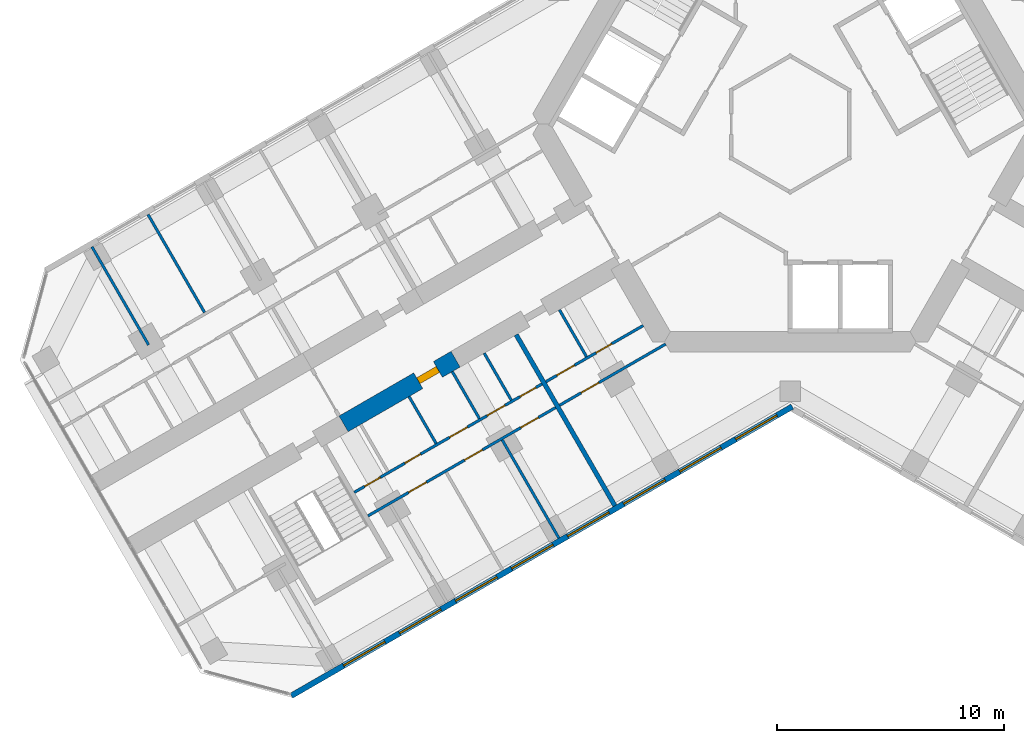
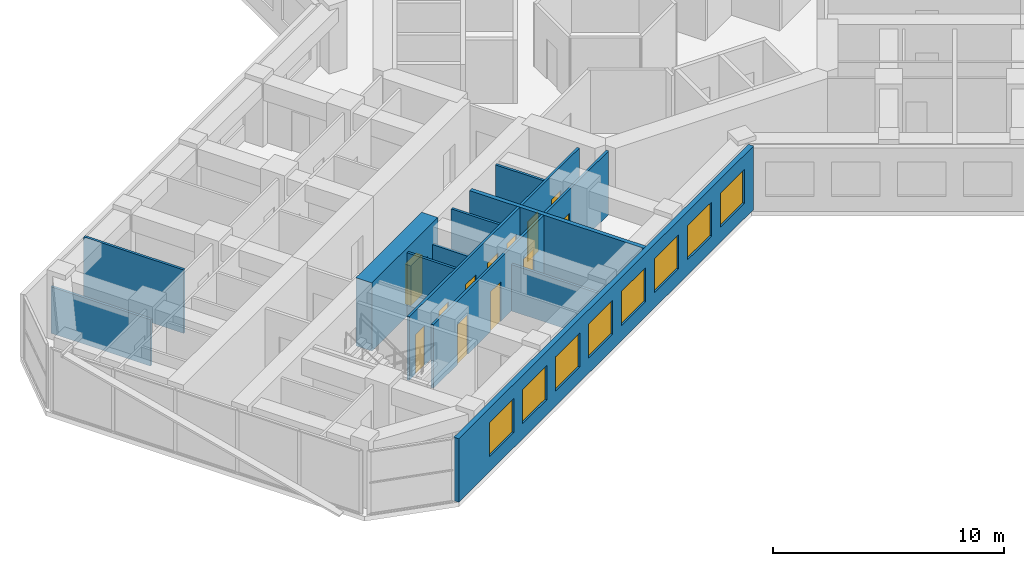
# One storey, part 11 of 19: 14 walls, 12 doors, 8 windows, 20 openings.
"""IFC4 building model written with IfcOpenShell, lengths in metres."""

from ifc_helpers import new_model, si_unit, direction, frame, frame_2d, origin, place, context, subcontext, project, spatial, rectangle, extrude, material, layer, layer_set, type_object, element, fill, save


model = new_model("IFC4")

# Units and contexts
model_context = context("Model", 3, precision=1e-05, world=origin(), true_north=direction((0.0, 1.0)))
body_context = subcontext(model_context, "Body", "Model", "MODEL_VIEW")
ifc_project = project(units=[si_unit("LENGTHUNIT", "METRE"), si_unit("AREAUNIT", "SQUARE_METRE"), si_unit("VOLUMEUNIT", "CUBIC_METRE"), si_unit("PLANEANGLEUNIT", "RADIAN"), si_unit("MASSUNIT", "GRAM", prefix="KILO")], contexts=[model_context])

# Site, building, storey
site_placement = place(None, origin())
site = spatial("IfcSite", under=ifc_project, at=site_placement, CompositionType="ELEMENT")
building_placement = place(site_placement, origin())
building = spatial("IfcBuilding", under=site, at=building_placement, Name="Kosmar Iwan School Tower", CompositionType="ELEMENT")
storey_placement = place(building_placement, frame((0.0, 0.0, 141.800048828125)))
storey = spatial("IfcBuildingStorey", under=building, at=storey_placement, Name="L35", CompositionType="ELEMENT", Elevation=141.800048828125)

# Wall, opening, door
ifc_material_1 = material(Name="Concrete C50/60", Category="concrete")
ifc_layer_1 = layer(ifc_material_1, 0.800048828125)
ifc_layer_set_1 = layer_set([ifc_layer_1], Name="Corridor buttress wall 800")
wall_type_1 = type_object("IfcWallType", Name="Corridor buttress wall 800", PredefinedType="SHEAR", material=ifc_layer_set_1)
wall_1_placement = place(storey_placement, frame((-14.7451171875, -10.360595703125, 0.0), z_axis=(0.0, 0.0, 1.0), x_axis=(-0.866015111908, -0.50001782563, 0.0)))
wall_1 = element("IfcWall", 1, at=wall_1_placement, inside=storey, type_object=wall_type_1, Name="Corridor wall BL bay 2", PredefinedType="SHEAR", context=body_context, shape_type="SweptSolid", body=[
    extrude(rectangle(XDim=5.699951171875, YDim=0.800048828125, at=frame_2d((2.85009765625, 0.0))), origin(), (0.0, 0.0, 1.0), 3.599853515625),
])
opening_1_placement = place(wall_1_placement, frame((0.89990234375, 0.0, 0.0)))
opening_1 = element("IfcOpeningElement", 2, at=opening_1_placement, cuts=wall_1, Name="Opening D1", PredefinedType="OPENING", context=body_context, shape_type="SweptSolid", body=[
    extrude(rectangle(XDim=1.0, YDim=2.10009765625, at=frame_2d((0.5, 1.050048828125))), frame((0.0, 0.412109375, 0.0), z_axis=(0.0, -1.0, 0.0), x_axis=(1.0, 0.0, 0.0)), (0.0, 0.0, 1.0), 0.823974609375),
])
ifc_material_2 = material(Name="Timber fire door in steel frame", Category="steel")
door_type_1 = type_object("IfcDoorType", Name="Flat entrance door 1000x2100", OperationType="SINGLE_SWING_LEFT", PredefinedType="DOOR", material=ifc_material_2)
door_1_placement = place(opening_1_placement, origin())
door_1 = element("IfcDoor", 3, at=door_1_placement, inside=storey, type_object=door_type_1, Name="Flat L35-BL2 entrance door", OperationType="SINGLE_SWING_LEFT", OverallHeight=2.10009765625, OverallWidth=1.0, PredefinedType="DOOR", context=body_context, shape_type="SweptSolid", body=[
    extrude(rectangle(XDim=1.0, YDim=2.10009765625, at=frame_2d((0.5, 1.050048828125))), frame((0.0, 0.14990234375, 0.0), z_axis=(0.0, -1.0, 0.0), x_axis=(1.0, 0.0, 0.0)), (0.0, 0.0, 1.0), 0.300048828125),
])
fill(opening_1, door_1)

# Wall, openings, doors
ifc_material_3 = material(Name="Gypsum board on steel studs", Category="steel")
ifc_layer_2 = layer(ifc_material_3, 0.1201171875)
ifc_layer_set_2 = layer_set([ifc_layer_2], Name="Dwelling partition 120")
wall_type_2 = type_object("IfcWallType", Name="Dwelling partition 120", PredefinedType="PARTITIONING", material=ifc_layer_set_2)
wall_2_placement = place(storey_placement, frame((-6.478515625, -8.87890625, 0.0), z_axis=(0.0, 0.0, 1.0), x_axis=(-0.866040211805, -0.499974350878, 0.0)))
wall_2 = element("IfcWall", 4, at=wall_2_placement, inside=storey, type_object=wall_type_2, Name="Partition L35-BL1-W1", PredefinedType="PARTITIONING", context=body_context, shape_type="SweptSolid", body=[
    extrude(rectangle(XDim=4.949951171875, YDim=0.1201171875, at=frame_2d((2.47509765625, 0.0))), origin(), (0.0, 0.0, 1.0), 3.349853515625),
])
opening_2_placement = place(wall_2_placement, frame((1.60009765625, 0.0, 0.0)))
opening_2 = element("IfcOpeningElement", 5, at=opening_2_placement, cuts=wall_2, Name="Opening D3", PredefinedType="OPENING", context=body_context, shape_type="SweptSolid", body=[
    extrude(rectangle(XDim=0.800048828125, YDim=2.10009765625, at=frame_2d((0.39990234375, 1.050048828125))), frame((0.0, 0.072021484375, 0.0), z_axis=(0.0, -1.0, 0.0), x_axis=(1.0, 0.0, 0.0)), (0.0, 0.0, 1.0), 0.14404296875),
])
opening_3_placement = place(wall_2_placement, frame((3.5, 0.0, 0.0)))
opening_3 = element("IfcOpeningElement", 6, at=opening_3_placement, cuts=wall_2, Name="Opening D2", PredefinedType="OPENING", context=body_context, shape_type="SweptSolid", body=[
    extrude(rectangle(XDim=0.89990234375, YDim=2.10009765625, at=frame_2d((0.449951171875, 1.050048828125))), frame((0.0, 0.072021484375, 0.0), z_axis=(0.0, -1.0, 0.0), x_axis=(1.0, 0.0, 0.0)), (0.0, 0.0, 1.0), 0.14404296875),
])
ifc_material_4 = material(Name="Timber door in timber frame", Category="wood")
door_type_2 = type_object("IfcDoorType", Name="Internal door 900x2100", OperationType="SINGLE_SWING_LEFT", PredefinedType="DOOR", material=ifc_material_4)
door_2_placement = place(opening_3_placement, origin())
door_2 = element("IfcDoor", 7, at=door_2_placement, inside=storey, type_object=door_type_2, Name="Entrance hall door L35-BL1-S2", OperationType="SINGLE_SWING_RIGHT", OverallHeight=2.10009765625, OverallWidth=0.89990234375, PredefinedType="DOOR", context=body_context, shape_type="SweptSolid", body=[
    extrude(rectangle(XDim=0.89990234375, YDim=2.10009765625, at=frame_2d((0.449951171875, 1.050048828125))), frame((0.0, 0.02490234375, 0.0), z_axis=(0.0, -1.0, 0.0), x_axis=(1.0, 0.0, 0.0)), (0.0, 0.0, 1.0), 0.050048828125),
])
fill(opening_3, door_2)
ifc_material_5 = material(Name="Timber door in timber frame", Category="wood")
door_type_3 = type_object("IfcDoorType", Name="Sanitary room door 800x2100", OperationType="SINGLE_SWING_LEFT", PredefinedType="DOOR", material=ifc_material_5)
door_3_placement = place(opening_2_placement, origin())
door_3 = element("IfcDoor", 8, at=door_3_placement, inside=storey, type_object=door_type_3, Name="Bathroom door L35-BL1-S1", OperationType="SINGLE_SWING_LEFT", OverallHeight=2.10009765625, OverallWidth=0.800048828125, PredefinedType="DOOR", context=body_context, shape_type="SweptSolid", body=[
    extrude(rectangle(XDim=0.800048828125, YDim=2.10009765625, at=frame_2d((0.39990234375, 1.050048828125))), frame((0.0, 0.02490234375, 0.0), z_axis=(0.0, -1.0, 0.0), x_axis=(1.0, 0.0, 0.0)), (0.0, 0.0, 1.0), 0.050048828125),
])
fill(opening_2, door_3)

# Wall, opening, door
wall_3_placement = place(storey_placement, frame((-5.48876953125, -9.693115234375, 0.0), z_axis=(0.0, 0.0, 1.0), x_axis=(-0.866028230842, -0.499995103361, 0.0)))
wall_3 = element("IfcWall", 9, at=wall_3_placement, inside=storey, type_object=wall_type_2, Name="Partition L35-BL1-W2", PredefinedType="PARTITIONING", context=body_context, shape_type="SweptSolid", body=[
    extrude(rectangle(XDim=5.39990234375, YDim=0.1201171875, at=frame_2d((2.699951171875, 0.0))), origin(), (0.0, 0.0, 1.0), 3.349853515625),
])
opening_4_placement = place(wall_3_placement, frame((3.39990234375, 0.0, 0.0)))
opening_4 = element("IfcOpeningElement", 10, at=opening_4_placement, cuts=wall_3, Name="Opening D2", PredefinedType="OPENING", context=body_context, shape_type="SweptSolid", body=[
    extrude(rectangle(XDim=0.89990234375, YDim=2.10009765625, at=frame_2d((0.449951171875, 1.050048828125))), frame((0.0, 0.072021484375, 0.0), z_axis=(0.0, -1.0, 0.0), x_axis=(1.0, 0.0, 0.0)), (0.0, 0.0, 1.0), 0.14404296875),
])
door_4_placement = place(opening_4_placement, origin())
door_4 = element("IfcDoor", 11, at=door_4_placement, inside=storey, type_object=door_type_2, Name="Studio living room and kitchen door L35-BL1-F1", OperationType="SINGLE_SWING_RIGHT", OverallHeight=2.10009765625, OverallWidth=0.89990234375, PredefinedType="DOOR", context=body_context, shape_type="SweptSolid", body=[
    extrude(rectangle(XDim=0.89990234375, YDim=2.10009765625, at=frame_2d((0.449951171875, 1.050048828125))), frame((0.0, 0.02490234375, 0.0), z_axis=(0.0, -1.0, 0.0), x_axis=(1.0, 0.0, 0.0)), (0.0, 0.0, 1.0), 0.050048828125),
])
fill(opening_4, door_4)

# Wall
wall_4_placement = place(storey_placement, frame((-10.171630859375, -8.18212890625, 0.0), z_axis=(0.0, 0.0, 1.0), x_axis=(0.499940577336, -0.866059708757, 0.0)))
element("IfcWall", 12, at=wall_4_placement, inside=storey, type_object=wall_type_2, Name="Partition L35-BL1-Y1", PredefinedType="PARTITIONING", context=body_context, shape_type="SweptSolid", body=[
    extrude(rectangle(XDim=2.389892578125, YDim=0.1201171875, at=frame_2d((1.19482421875, 0.0))), origin(), (0.0, 0.0, 1.0), 3.349853515625),
])

# Wall, openings, doors
wall_5_placement = place(storey_placement, frame((-10.9384765625, -11.453857421875, 0.0), z_axis=(0.0, 0.0, 1.0), x_axis=(-0.866035311659, -0.499982838664, 0.0)))
wall_5 = element("IfcWall", 13, at=wall_5_placement, inside=storey, type_object=wall_type_2, Name="Partition L35-BL2-W1", PredefinedType="PARTITIONING", context=body_context, shape_type="SweptSolid", body=[
    extrude(rectangle(XDim=9.550048828125, YDim=0.1201171875, at=frame_2d((4.77490234375, 0.0))), origin(), (0.0, 0.0, 1.0), 3.349853515625),
])
opening_5_placement = place(wall_5_placement, frame((0.3125, 0.0, 0.0)))
opening_5 = element("IfcOpeningElement", 14, at=opening_5_placement, cuts=wall_5, Name="Opening D3", PredefinedType="OPENING", context=body_context, shape_type="SweptSolid", body=[
    extrude(rectangle(XDim=0.800048828125, YDim=2.10009765625, at=frame_2d((0.39990234375, 1.050048828125))), frame((0.0, 0.072021484375, 0.0), z_axis=(0.0, -1.0, 0.0), x_axis=(1.0, 0.0, 0.0)), (0.0, 0.0, 1.0), 0.14404296875),
])
opening_6_placement = place(wall_5_placement, frame((1.887451171875, 0.0, 0.0)))
opening_6 = element("IfcOpeningElement", 15, at=opening_6_placement, cuts=wall_5, Name="Opening D2", PredefinedType="OPENING", context=body_context, shape_type="SweptSolid", body=[
    extrude(rectangle(XDim=0.89990234375, YDim=2.10009765625, at=frame_2d((0.449951171875, 1.050048828125))), frame((0.0, 0.072021484375, 0.0), z_axis=(0.0, -1.0, 0.0), x_axis=(1.0, 0.0, 0.0)), (0.0, 0.0, 1.0), 0.14404296875),
])
opening_7_placement = place(wall_5_placement, frame((3.800048828125, 0.0, 0.0)))
opening_7 = element("IfcOpeningElement", 16, at=opening_7_placement, cuts=wall_5, Name="Opening D2", PredefinedType="OPENING", context=body_context, shape_type="SweptSolid", body=[
    extrude(rectangle(XDim=0.89990234375, YDim=2.10009765625, at=frame_2d((0.449951171875, 1.050048828125))), frame((0.0, 0.072021484375, 0.0), z_axis=(0.0, -1.0, 0.0), x_axis=(1.0, 0.0, 0.0)), (0.0, 0.0, 1.0), 0.14404296875),
])
opening_8_placement = place(wall_5_placement, frame((6.179931640625, 0.0, 0.0)))
opening_8 = element("IfcOpeningElement", 17, at=opening_8_placement, cuts=wall_5, Name="Opening D3", PredefinedType="OPENING", context=body_context, shape_type="SweptSolid", body=[
    extrude(rectangle(XDim=0.800048828125, YDim=2.10009765625, at=frame_2d((0.39990234375, 1.050048828125))), frame((0.0, 0.072021484375, 0.0), z_axis=(0.0, -1.0, 0.0), x_axis=(1.0, 0.0, 0.0)), (0.0, 0.0, 1.0), 0.14404296875),
])
opening_9_placement = place(wall_5_placement, frame((8.22998046875, 0.0, 0.0)))
opening_9 = element("IfcOpeningElement", 18, at=opening_9_placement, cuts=wall_5, Name="Opening D3", PredefinedType="OPENING", context=body_context, shape_type="SweptSolid", body=[
    extrude(rectangle(XDim=0.800048828125, YDim=2.10009765625, at=frame_2d((0.39990234375, 1.050048828125))), frame((0.0, 0.072021484375, 0.0), z_axis=(0.0, -1.0, 0.0), x_axis=(1.0, 0.0, 0.0)), (0.0, 0.0, 1.0), 0.14404296875),
])
door_5_placement = place(opening_6_placement, frame((0.89990234375, 0.0, 0.0), z_axis=(0.0, 0.0, 1.0), x_axis=(-1.0, 0.0, 0.0)))
door_5 = element("IfcDoor", 19, at=door_5_placement, inside=storey, type_object=door_type_2, Name="Pantry door L35-BL2-S2", OperationType="SINGLE_SWING_RIGHT", OverallHeight=2.10009765625, OverallWidth=0.89990234375, PredefinedType="DOOR", context=body_context, shape_type="SweptSolid", body=[
    extrude(rectangle(XDim=0.89990234375, YDim=2.10009765625, at=frame_2d((0.449951171875, 1.050048828125))), frame((0.0, 0.02490234375, 0.0), z_axis=(0.0, -1.0, 0.0), x_axis=(1.0, 0.0, 0.0)), (0.0, 0.0, 1.0), 0.050048828125),
])
fill(opening_6, door_5)
door_6_placement = place(opening_7_placement, origin())
door_6 = element("IfcDoor", 20, at=door_6_placement, inside=storey, type_object=door_type_2, Name="Entrance hall door L35-BL2-S3", OperationType="SINGLE_SWING_LEFT", OverallHeight=2.10009765625, OverallWidth=0.89990234375, PredefinedType="DOOR", context=body_context, shape_type="SweptSolid", body=[
    extrude(rectangle(XDim=0.89990234375, YDim=2.10009765625, at=frame_2d((0.449951171875, 1.050048828125))), frame((0.0, 0.02490234375, 0.0), z_axis=(0.0, -1.0, 0.0), x_axis=(1.0, 0.0, 0.0)), (0.0, 0.0, 1.0), 0.050048828125),
])
fill(opening_7, door_6)
door_7_placement = place(opening_5_placement, origin())
door_7 = element("IfcDoor", 21, at=door_7_placement, inside=storey, type_object=door_type_3, Name="Store door L35-BL2-S1", OperationType="SINGLE_SWING_LEFT", OverallHeight=2.10009765625, OverallWidth=0.800048828125, PredefinedType="DOOR", context=body_context, shape_type="SweptSolid", body=[
    extrude(rectangle(XDim=0.800048828125, YDim=2.10009765625, at=frame_2d((0.39990234375, 1.050048828125))), frame((0.0, 0.02490234375, 0.0), z_axis=(0.0, -1.0, 0.0), x_axis=(1.0, 0.0, 0.0)), (0.0, 0.0, 1.0), 0.050048828125),
])
fill(opening_5, door_7)
door_8_placement = place(opening_8_placement, origin())
door_8 = element("IfcDoor", 22, at=door_8_placement, inside=storey, type_object=door_type_3, Name="Bathroom door L35-BL2-S4", OperationType="SINGLE_SWING_RIGHT", OverallHeight=2.10009765625, OverallWidth=0.800048828125, PredefinedType="DOOR", context=body_context, shape_type="SweptSolid", body=[
    extrude(rectangle(XDim=0.800048828125, YDim=2.10009765625, at=frame_2d((0.39990234375, 1.050048828125))), frame((0.0, 0.02490234375, 0.0), z_axis=(0.0, -1.0, 0.0), x_axis=(1.0, 0.0, 0.0)), (0.0, 0.0, 1.0), 0.050048828125),
])
fill(opening_8, door_8)
door_9_placement = place(opening_9_placement, origin())
door_9 = element("IfcDoor", 23, at=door_9_placement, inside=storey, type_object=door_type_3, Name="WC door L35-BL2-S5", OperationType="SINGLE_SWING_RIGHT", OverallHeight=2.10009765625, OverallWidth=0.800048828125, PredefinedType="DOOR", context=body_context, shape_type="SweptSolid", body=[
    extrude(rectangle(XDim=0.800048828125, YDim=2.10009765625, at=frame_2d((0.39990234375, 1.050048828125))), frame((0.0, 0.02490234375, 0.0), z_axis=(0.0, -1.0, 0.0), x_axis=(1.0, 0.0, 0.0)), (0.0, 0.0, 1.0), 0.050048828125),
])
fill(opening_9, door_9)

wall_6_placement = place(storey_placement, frame((-10.338623046875, -12.492919921875, 0.0), z_axis=(0.0, 0.0, 1.0), x_axis=(-0.866017851049, -0.500013081493, 0.0)))
wall_6 = element("IfcWall", 24, at=wall_6_placement, inside=storey, type_object=wall_type_2, Name="Partition L35-BL2-W2", PredefinedType="PARTITIONING", context=body_context, shape_type="SweptSolid", body=[
    extrude(rectangle(XDim=9.550048828125, YDim=0.1201171875, at=frame_2d((4.77490234375, 0.0))), origin(), (0.0, 0.0, 1.0), 3.349853515625),
])
opening_10_placement = place(wall_6_placement, frame((0.875, 0.0, 0.0)))
opening_10 = element("IfcOpeningElement", 25, at=opening_10_placement, cuts=wall_6, Name="Opening D2", PredefinedType="OPENING", context=body_context, shape_type="SweptSolid", body=[
    extrude(rectangle(XDim=0.89990234375, YDim=2.10009765625, at=frame_2d((0.449951171875, 1.050048828125))), frame((0.0, 0.072021484375, 0.0), z_axis=(0.0, -1.0, 0.0), x_axis=(1.0, 0.0, 0.0)), (0.0, 0.0, 1.0), 0.14404296875),
])
opening_11_placement = place(wall_6_placement, frame((3.72509765625, 0.0, 0.0)))
opening_11 = element("IfcOpeningElement", 26, at=opening_11_placement, cuts=wall_6, Name="Opening D2", PredefinedType="OPENING", context=body_context, shape_type="SweptSolid", body=[
    extrude(rectangle(XDim=0.89990234375, YDim=2.10009765625, at=frame_2d((0.449951171875, 1.050048828125))), frame((0.0, 0.072021484375, 0.0), z_axis=(0.0, -1.0, 0.0), x_axis=(1.0, 0.0, 0.0)), (0.0, 0.0, 1.0), 0.14404296875),
])
opening_12_placement = place(wall_6_placement, frame((6.574951171875, 0.0, 0.0)))
opening_12 = element("IfcOpeningElement", 27, at=opening_12_placement, cuts=wall_6, Name="Opening D2", PredefinedType="OPENING", context=body_context, shape_type="SweptSolid", body=[
    extrude(rectangle(XDim=0.89990234375, YDim=2.10009765625, at=frame_2d((0.449951171875, 1.050048828125))), frame((0.0, 0.072021484375, 0.0), z_axis=(0.0, -1.0, 0.0), x_axis=(1.0, 0.0, 0.0)), (0.0, 0.0, 1.0), 0.14404296875),
])
door_10_placement = place(opening_10_placement, origin())
door_10 = element("IfcDoor", 28, at=door_10_placement, inside=storey, type_object=door_type_2, Name="Living room door L35-BL2-F1", OperationType="SINGLE_SWING_LEFT", OverallHeight=2.10009765625, OverallWidth=0.89990234375, PredefinedType="DOOR", context=body_context, shape_type="SweptSolid", body=[
    extrude(rectangle(XDim=0.89990234375, YDim=2.10009765625, at=frame_2d((0.449951171875, 1.050048828125))), frame((0.0, 0.02490234375, 0.0), z_axis=(0.0, -1.0, 0.0), x_axis=(1.0, 0.0, 0.0)), (0.0, 0.0, 1.0), 0.050048828125),
])
fill(opening_10, door_10)
door_11_placement = place(opening_11_placement, origin())
door_11 = element("IfcDoor", 29, at=door_11_placement, inside=storey, type_object=door_type_2, Name="Kitchen and dining room door L35-BL2-F2", OperationType="SINGLE_SWING_RIGHT", OverallHeight=2.10009765625, OverallWidth=0.89990234375, PredefinedType="DOOR", context=body_context, shape_type="SweptSolid", body=[
    extrude(rectangle(XDim=0.89990234375, YDim=2.10009765625, at=frame_2d((0.449951171875, 1.050048828125))), frame((0.0, 0.02490234375, 0.0), z_axis=(0.0, -1.0, 0.0), x_axis=(1.0, 0.0, 0.0)), (0.0, 0.0, 1.0), 0.050048828125),
])
fill(opening_11, door_11)
door_12_placement = place(opening_12_placement, origin())
door_12 = element("IfcDoor", 30, at=door_12_placement, inside=storey, type_object=door_type_2, Name="Bedroom 1 door L35-BL2-F3", OperationType="SINGLE_SWING_LEFT", OverallHeight=2.10009765625, OverallWidth=0.89990234375, PredefinedType="DOOR", context=body_context, shape_type="SweptSolid", body=[
    extrude(rectangle(XDim=0.89990234375, YDim=2.10009765625, at=frame_2d((0.449951171875, 1.050048828125))), frame((0.0, 0.02490234375, 0.0), z_axis=(0.0, -1.0, 0.0), x_axis=(1.0, 0.0, 0.0)), (0.0, 0.0, 1.0), 0.050048828125),
])
fill(opening_12, door_12)

# Walls
wall_7_placement = place(storey_placement, frame((-12.690185546875, -13.919921875, 0.0), z_axis=(0.0, 0.0, 1.0), x_axis=(0.500011847778, -0.866018563358, 0.0)))
element("IfcWall", 31, at=wall_7_placement, inside=storey, type_object=wall_type_2, Name="Partition L35-BL2-X1", PredefinedType="PARTITIONING", context=body_context, shape_type="SweptSolid", body=[
    extrude(rectangle(XDim=4.990234375, YDim=0.1201171875, at=frame_2d((2.4951171875, 0.0))), origin(), (0.0, 0.0, 1.0), 2.449951171875),
])
wall_8_placement = place(storey_placement, frame((-13.484375, -10.094482421875, 0.0), z_axis=(0.0, 0.0, 1.0), x_axis=(0.500017192868, -0.86601547725, 0.0)))
element("IfcWall", 32, at=wall_8_placement, inside=storey, type_object=wall_type_2, Name="Partition L35-BL2-Y1", PredefinedType="PARTITIONING", context=body_context, shape_type="SweptSolid", body=[
    extrude(rectangle(XDim=2.39013671875, YDim=0.1201171875, at=frame_2d((1.195068359375, 0.0))), origin(), (0.0, 0.0, 1.0), 3.349853515625),
])
wall_9_placement = place(storey_placement, frame((-14.8916015625, -10.906982421875, 0.0), z_axis=(0.0, 0.0, 1.0), x_axis=(0.500017192868, -0.86601547725, 0.0)))
element("IfcWall", 33, at=wall_9_placement, inside=storey, type_object=wall_type_2, Name="Partition L35-BL2-Y2", PredefinedType="PARTITIONING", context=body_context, shape_type="SweptSolid", body=[
    extrude(rectangle(XDim=2.39013671875, YDim=0.1201171875, at=frame_2d((1.195068359375, 0.0))), origin(), (0.0, 0.0, 1.0), 2.449951171875),
])
wall_10_placement = place(storey_placement, frame((-16.796875, -12.007080078125, 0.0), z_axis=(0.0, 0.0, 1.0), x_axis=(0.500017192868, -0.86601547725, 0.0)))
element("IfcWall", 34, at=wall_10_placement, inside=storey, type_object=wall_type_2, Name="Partition L35-BL2-Y3", PredefinedType="PARTITIONING", context=body_context, shape_type="SweptSolid", body=[
    extrude(rectangle(XDim=2.39013671875, YDim=0.1201171875, at=frame_2d((1.195068359375, 0.0))), origin(), (0.0, 0.0, 1.0), 3.349853515625),
])
wall_11_placement = place(storey_placement, frame((-25.8046875, -8.304931640625, 0.0), z_axis=(0.0, 0.0, 1.0), x_axis=(-0.499975153383, 0.86603974851, 0.0)))
element("IfcWall", 35, at=wall_11_placement, inside=storey, type_object=wall_type_2, Name="Partition L35-BR2-X3", PredefinedType="PARTITIONING", context=body_context, shape_type="SweptSolid", body=[
    extrude(rectangle(XDim=4.989990234375, YDim=0.1201171875, at=frame_2d((2.4951171875, 0.0))), origin(), (0.0, 0.0, 1.0), 3.349853515625),
])
wall_12_placement = place(storey_placement, frame((-28.27294921875, -9.72998046875, 0.0), z_axis=(0.0, 0.0, 1.0), x_axis=(-0.499975153383, 0.86603974851, 0.0)))
element("IfcWall", 36, at=wall_12_placement, inside=storey, type_object=wall_type_2, Name="Partition L35-BR2-X4", PredefinedType="PARTITIONING", context=body_context, shape_type="SweptSolid", body=[
    extrude(rectangle(XDim=4.989990234375, YDim=0.1201171875, at=frame_2d((2.4951171875, 0.0))), origin(), (0.0, 0.0, 1.0), 2.449951171875),
])

# Wall, openings, windows
ifc_material_6 = material(Name="Black aluminium rainscreen on insulated framing", Category="aluminium")
ifc_layer_3 = layer(ifc_material_6, 0.25)
ifc_layer_set_3 = layer_set([ifc_layer_3], Name="External wall rainscreen 250")
wall_type_3 = type_object("IfcWallType", Name="External wall rainscreen 250", PredefinedType="SOLIDWALL", material=ifc_layer_set_3)
wall_13_placement = place(storey_placement, frame((0.088134765625, -12.44873046875, 0.0), z_axis=(0.0, 0.0, 1.0), x_axis=(-0.866026390279, -0.499998291337, 0.0)))
wall_13 = element("IfcWall", 37, at=wall_13_placement, inside=storey, type_object=wall_type_3, Name="External wall BL L35", PredefinedType="SOLIDWALL", context=body_context, shape_type="SweptSolid", body=[
    extrude(rectangle(XDim=25.4873046875, YDim=0.25, at=frame_2d((12.74365234375, 0.0))), origin(), (0.0, 0.0, 1.0), 3.349853515625),
])
opening_13_placement = place(wall_13_placement, frame((0.777099609375, 0.0, 0.800048828125)))
opening_13 = element("IfcOpeningElement", 38, at=opening_13_placement, cuts=wall_13, Name="Opening W4", PredefinedType="OPENING", context=body_context, shape_type="SweptSolid", body=[
    extrude(rectangle(XDim=2.10009765625, YDim=1.800048828125, at=frame_2d((1.050048828125, 0.89990234375))), frame((0.0, 0.136962890625, 0.0), z_axis=(0.0, -1.0, 0.0), x_axis=(1.0, 0.0, 0.0)), (0.0, 0.0, 1.0), 0.27392578125),
])
opening_14_placement = place(wall_13_placement, frame((3.626953125, 0.0, 0.800048828125)))
opening_14 = element("IfcOpeningElement", 39, at=opening_14_placement, cuts=wall_13, Name="Opening W4", PredefinedType="OPENING", context=body_context, shape_type="SweptSolid", body=[
    extrude(rectangle(XDim=2.10009765625, YDim=1.800048828125, at=frame_2d((1.050048828125, 0.89990234375))), frame((0.0, 0.136962890625, 0.0), z_axis=(0.0, -1.0, 0.0), x_axis=(1.0, 0.0, 0.0)), (0.0, 0.0, 1.0), 0.27392578125),
])
opening_15_placement = place(wall_13_placement, frame((6.47705078125, 0.0, 0.800048828125)))
opening_15 = element("IfcOpeningElement", 40, at=opening_15_placement, cuts=wall_13, Name="Opening W4", PredefinedType="OPENING", context=body_context, shape_type="SweptSolid", body=[
    extrude(rectangle(XDim=2.10009765625, YDim=1.800048828125, at=frame_2d((1.050048828125, 0.89990234375))), frame((0.0, 0.136962890625, 0.0), z_axis=(0.0, -1.0, 0.0), x_axis=(1.0, 0.0, 0.0)), (0.0, 0.0, 1.0), 0.27392578125),
])
opening_16_placement = place(wall_13_placement, frame((9.326904296875, 0.0, 0.800048828125)))
opening_16 = element("IfcOpeningElement", 41, at=opening_16_placement, cuts=wall_13, Name="Opening W4", PredefinedType="OPENING", context=body_context, shape_type="SweptSolid", body=[
    extrude(rectangle(XDim=2.10009765625, YDim=1.800048828125, at=frame_2d((1.050048828125, 0.89990234375))), frame((0.0, 0.136962890625, 0.0), z_axis=(0.0, -1.0, 0.0), x_axis=(1.0, 0.0, 0.0)), (0.0, 0.0, 1.0), 0.27392578125),
])
opening_17_placement = place(wall_13_placement, frame((12.177001953125, 0.0, 0.800048828125)))
opening_17 = element("IfcOpeningElement", 42, at=opening_17_placement, cuts=wall_13, Name="Opening W4", PredefinedType="OPENING", context=body_context, shape_type="SweptSolid", body=[
    extrude(rectangle(XDim=2.10009765625, YDim=1.800048828125, at=frame_2d((1.050048828125, 0.89990234375))), frame((0.0, 0.136962890625, 0.0), z_axis=(0.0, -1.0, 0.0), x_axis=(1.0, 0.0, 0.0)), (0.0, 0.0, 1.0), 0.27392578125),
])
opening_18_placement = place(wall_13_placement, frame((15.027099609375, 0.0, 0.800048828125)))
opening_18 = element("IfcOpeningElement", 43, at=opening_18_placement, cuts=wall_13, Name="Opening W4", PredefinedType="OPENING", context=body_context, shape_type="SweptSolid", body=[
    extrude(rectangle(XDim=2.10009765625, YDim=1.800048828125, at=frame_2d((1.050048828125, 0.89990234375))), frame((0.0, 0.136962890625, 0.0), z_axis=(0.0, -1.0, 0.0), x_axis=(1.0, 0.0, 0.0)), (0.0, 0.0, 1.0), 0.27392578125),
])
opening_19_placement = place(wall_13_placement, frame((17.876953125, 0.0, 0.800048828125)))
opening_19 = element("IfcOpeningElement", 44, at=opening_19_placement, cuts=wall_13, Name="Opening W4", PredefinedType="OPENING", context=body_context, shape_type="SweptSolid", body=[
    extrude(rectangle(XDim=2.10009765625, YDim=1.800048828125, at=frame_2d((1.050048828125, 0.89990234375))), frame((0.0, 0.136962890625, 0.0), z_axis=(0.0, -1.0, 0.0), x_axis=(1.0, 0.0, 0.0)), (0.0, 0.0, 1.0), 0.27392578125),
])
opening_20_placement = place(wall_13_placement, frame((20.72705078125, 0.0, 0.800048828125)))
opening_20 = element("IfcOpeningElement", 45, at=opening_20_placement, cuts=wall_13, Name="Opening W4", PredefinedType="OPENING", context=body_context, shape_type="SweptSolid", body=[
    extrude(rectangle(XDim=2.10009765625, YDim=1.800048828125, at=frame_2d((1.050048828125, 0.89990234375))), frame((0.0, 0.136962890625, 0.0), z_axis=(0.0, -1.0, 0.0), x_axis=(1.0, 0.0, 0.0)), (0.0, 0.0, 1.0), 0.27392578125),
])
ifc_material_7 = material(Name="Black aluminium frame with dark triple glazing", Category="aluminium")
window_type = type_object("IfcWindowType", Name="Window 2100x1800", PartitioningType="SINGLE_PANEL", PredefinedType="WINDOW", material=ifc_material_7)
window_1_placement = place(opening_13_placement, origin())
window_1 = element("IfcWindow", 46, at=window_1_placement, inside=storey, type_object=window_type, Name="Window BL L35 -1", OverallHeight=1.800048828125, OverallWidth=2.10009765625, PartitioningType="SINGLE_PANEL", PredefinedType="WINDOW", context=body_context, shape_type="SweptSolid", body=[
    extrude(rectangle(XDim=2.10009765625, YDim=1.800048828125, at=frame_2d((1.050048828125, 0.89990234375))), frame((0.0, 0.030029296875, 0.0), z_axis=(0.0, -1.0, 0.0), x_axis=(1.0, 0.0, 0.0)), (0.0, 0.0, 1.0), 0.06005859375),
])
fill(opening_13, window_1)
window_2_placement = place(opening_14_placement, origin())
window_2 = element("IfcWindow", 47, at=window_2_placement, inside=storey, type_object=window_type, Name="Window BL L35 0", OverallHeight=1.800048828125, OverallWidth=2.10009765625, PartitioningType="SINGLE_PANEL", PredefinedType="WINDOW", context=body_context, shape_type="SweptSolid", body=[
    extrude(rectangle(XDim=2.10009765625, YDim=1.800048828125, at=frame_2d((1.050048828125, 0.89990234375))), frame((0.0, 0.030029296875, 0.0), z_axis=(0.0, -1.0, 0.0), x_axis=(1.0, 0.0, 0.0)), (0.0, 0.0, 1.0), 0.06005859375),
])
fill(opening_14, window_2)
window_3_placement = place(opening_15_placement, origin())
window_3 = element("IfcWindow", 48, at=window_3_placement, inside=storey, type_object=window_type, Name="Window BL L35 1", OverallHeight=1.800048828125, OverallWidth=2.10009765625, PartitioningType="SINGLE_PANEL", PredefinedType="WINDOW", context=body_context, shape_type="SweptSolid", body=[
    extrude(rectangle(XDim=2.10009765625, YDim=1.800048828125, at=frame_2d((1.050048828125, 0.89990234375))), frame((0.0, 0.030029296875, 0.0), z_axis=(0.0, -1.0, 0.0), x_axis=(1.0, 0.0, 0.0)), (0.0, 0.0, 1.0), 0.06005859375),
])
fill(opening_15, window_3)
window_4_placement = place(opening_16_placement, origin())
window_4 = element("IfcWindow", 49, at=window_4_placement, inside=storey, type_object=window_type, Name="Window BL L35 2", OverallHeight=1.800048828125, OverallWidth=2.10009765625, PartitioningType="SINGLE_PANEL", PredefinedType="WINDOW", context=body_context, shape_type="SweptSolid", body=[
    extrude(rectangle(XDim=2.10009765625, YDim=1.800048828125, at=frame_2d((1.050048828125, 0.89990234375))), frame((0.0, 0.030029296875, 0.0), z_axis=(0.0, -1.0, 0.0), x_axis=(1.0, 0.0, 0.0)), (0.0, 0.0, 1.0), 0.06005859375),
])
fill(opening_16, window_4)
window_5_placement = place(opening_17_placement, origin())
window_5 = element("IfcWindow", 50, at=window_5_placement, inside=storey, type_object=window_type, Name="Window BL L35 3", OverallHeight=1.800048828125, OverallWidth=2.10009765625, PartitioningType="SINGLE_PANEL", PredefinedType="WINDOW", context=body_context, shape_type="SweptSolid", body=[
    extrude(rectangle(XDim=2.10009765625, YDim=1.800048828125, at=frame_2d((1.050048828125, 0.89990234375))), frame((0.0, 0.030029296875, 0.0), z_axis=(0.0, -1.0, 0.0), x_axis=(1.0, 0.0, 0.0)), (0.0, 0.0, 1.0), 0.06005859375),
])
fill(opening_17, window_5)
window_6_placement = place(opening_18_placement, origin())
window_6 = element("IfcWindow", 51, at=window_6_placement, inside=storey, type_object=window_type, Name="Window BL L35 4", OverallHeight=1.800048828125, OverallWidth=2.10009765625, PartitioningType="SINGLE_PANEL", PredefinedType="WINDOW", context=body_context, shape_type="SweptSolid", body=[
    extrude(rectangle(XDim=2.10009765625, YDim=1.800048828125, at=frame_2d((1.050048828125, 0.89990234375))), frame((0.0, 0.030029296875, 0.0), z_axis=(0.0, -1.0, 0.0), x_axis=(1.0, 0.0, 0.0)), (0.0, 0.0, 1.0), 0.06005859375),
])
fill(opening_18, window_6)
window_7_placement = place(opening_19_placement, origin())
window_7 = element("IfcWindow", 52, at=window_7_placement, inside=storey, type_object=window_type, Name="Window BL L35 5", OverallHeight=1.800048828125, OverallWidth=2.10009765625, PartitioningType="SINGLE_PANEL", PredefinedType="WINDOW", context=body_context, shape_type="SweptSolid", body=[
    extrude(rectangle(XDim=2.10009765625, YDim=1.800048828125, at=frame_2d((1.050048828125, 0.89990234375))), frame((0.0, 0.030029296875, 0.0), z_axis=(0.0, -1.0, 0.0), x_axis=(1.0, 0.0, 0.0)), (0.0, 0.0, 1.0), 0.06005859375),
])
fill(opening_19, window_7)
window_8_placement = place(opening_20_placement, origin())
window_8 = element("IfcWindow", 53, at=window_8_placement, inside=storey, type_object=window_type, Name="Window BL L35 6", OverallHeight=1.800048828125, OverallWidth=2.10009765625, PartitioningType="SINGLE_PANEL", PredefinedType="WINDOW", context=body_context, shape_type="SweptSolid", body=[
    extrude(rectangle(XDim=2.10009765625, YDim=1.800048828125, at=frame_2d((1.050048828125, 0.89990234375))), frame((0.0, 0.030029296875, 0.0), z_axis=(0.0, -1.0, 0.0), x_axis=(1.0, 0.0, 0.0)), (0.0, 0.0, 1.0), 0.06005859375),
])
fill(opening_20, window_8)

# Wall
ifc_material_8 = material(Name="Concrete block masonry", Category="masonry")
ifc_layer_4 = layer(ifc_material_8, 0.199951171875)
ifc_layer_set_4 = layer_set([ifc_layer_4], Name="Party wall 200")
wall_type_4 = type_object("IfcWallType", Name="Party wall 200", PredefinedType="PARTITIONING", material=ifc_layer_set_4)
wall_14_placement = place(storey_placement, frame((-12.076904296875, -9.281982421875, 0.0), z_axis=(0.0, 0.0, 1.0), x_axis=(0.499987231761, -0.866032775405, 0.0)))
element("IfcWall", 54, at=wall_14_placement, inside=storey, type_object=wall_type_4, Name="Partition L35-BL2-PW", PredefinedType="PARTITIONING", context=body_context, shape_type="SweptSolid", body=[
    extrude(rectangle(XDim=8.699951171875, YDim=0.199951171875, at=frame_2d((4.35009765625, 0.0))), origin(), (0.0, 0.0, 1.0), 3.349853515625),
])

save(model, "model.ifc")
